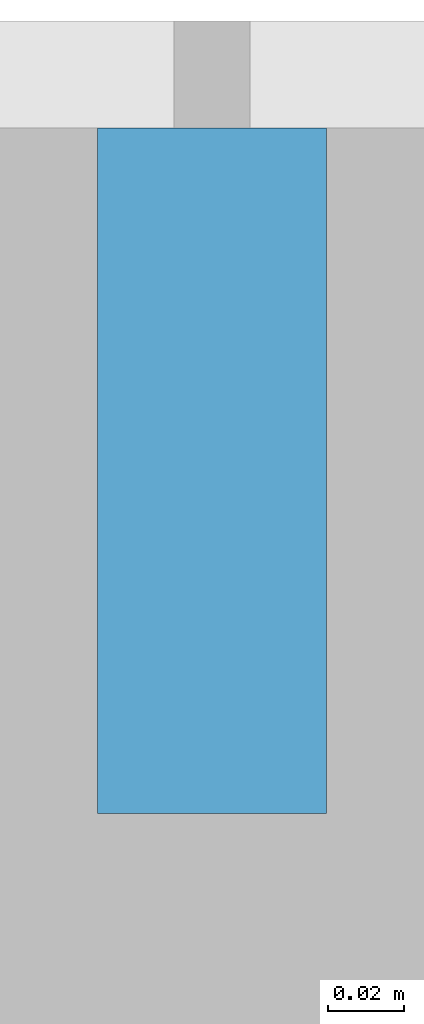
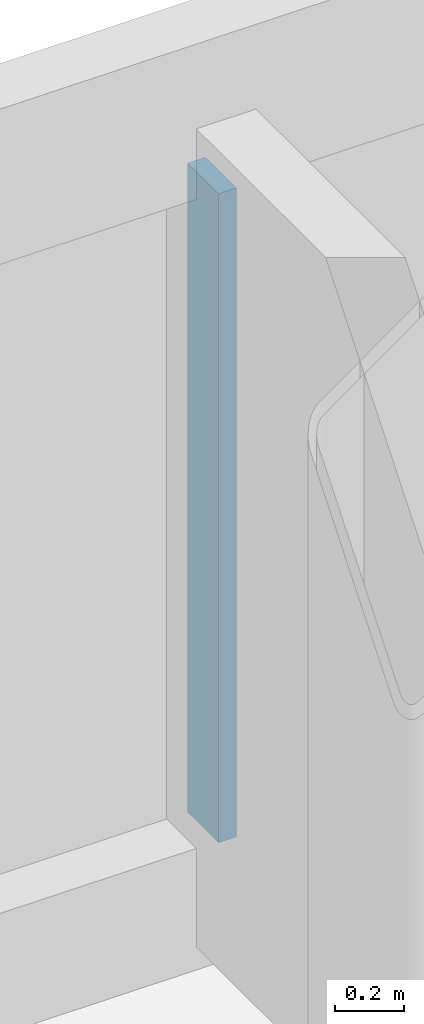
# One storey, part 7 of 26: 1 member, 1 element without a shape of its own.
"""IFC4 building model written with IfcOpenShell, lengths in metres."""

import ifcopenshell
import ifcopenshell.guid

model = None  # the IFC model being written
_history = None  # IfcOwnerHistory: only IFC2X3 demands one
_inside = {}  # id of a spatial element -> (the spatial element, [elements in it])
_under = {}  # id of a project, library or spatial element -> (it, [spatial elements below it])
_declared = {}  # id of a project -> (the project, [libraries it declares])
_typed = {}  # id of a type object -> (the type object, [elements of that type])
_made_of = {}  # id of a material, layer set ... -> (it, [elements and type objects made of it])


def new_model(schema):
    """Start an empty IFC model of exactly this schema.

    Asked for "IFC4X3", IfcOpenShell would pick the latest addendum, in which some entities
    have other attributes; the version numbers below select the first issue.
    IFC2X3 requires an IfcOwnerHistory on every rooted entity: one is made here for all.
    """
    global model, _history
    if schema == "IFC4X3":
        model = ifcopenshell.file(schema_version=(4, 3, 0, 0))
    else:
        model = ifcopenshell.file(schema=schema)
    _inside.clear()
    _under.clear()
    _declared.clear()
    _typed.clear()
    _made_of.clear()
    _history = None
    if model.schema == "IFC2X3":
        org = make("IfcOrganization", Name="unknown")
        user = make(
            "IfcPersonAndOrganization",
            ThePerson=make("IfcPerson", FamilyName="unknown"),
            TheOrganization=org,
        )
        app = make(
            "IfcApplication",
            ApplicationDeveloper=org,
            Version="unknown",
            ApplicationFullName="unknown",
            ApplicationIdentifier="unknown",
        )
        _history = make(
            "IfcOwnerHistory",
            OwningUser=user,
            OwningApplication=app,
            ChangeAction="ADDED",
            CreationDate=0,
        )
    return model


def make(cls, **values):
    """One entity of the class cls with the attributes given. An attribute that is None is left unset."""
    return model.create_entity(
        cls, **{name: value for name, value in values.items() if value is not None}
    )


def rooted(cls, **values):
    """An entity with a GlobalId (a new one), such as an element, a storey or a relation."""
    return make(cls, GlobalId=ifcopenshell.guid.new(), OwnerHistory=_history, **values)


def si_unit(unit_type, name, prefix=None):
    """IfcSIUnit, for example si_unit("LENGTHUNIT", "METRE", prefix="MILLI")."""
    return make("IfcSIUnit", UnitType=unit_type, Prefix=prefix, Name=name)


def assignment(units):
    """IfcUnitAssignment: the units of a project."""
    return None if units is None else make("IfcUnitAssignment", Units=units)


def point(xyz):
    """IfcCartesianPoint."""
    return None if xyz is None else make("IfcCartesianPoint", Coordinates=xyz)


def direction(xyz):
    """IfcDirection."""
    return None if xyz is None else make("IfcDirection", DirectionRatios=xyz)


def frame(location, z_axis=None, x_axis=None):
    """IfcAxis2Placement3D, a coordinate frame: its origin and axes. An axis left out is left unset."""
    return make(
        "IfcAxis2Placement3D",
        Location=point(location),
        Axis=direction(z_axis),
        RefDirection=direction(x_axis),
    )


def frame_2d(location, x_axis=None):
    """IfcAxis2Placement2D, a coordinate frame in the plane: its origin and x axis."""
    return make(
        "IfcAxis2Placement2D", Location=point(location), RefDirection=direction(x_axis)
    )


def origin():
    """The frame at (0, 0, 0) with its axes left unset."""
    return frame((0.0, 0.0, 0.0))


def origin_2d():
    """The frame at (0, 0) in the plane with its x axis left unset."""
    return frame_2d((0.0, 0.0))


def place(relative_to, where):
    """IfcLocalPlacement: puts the frame where relative to a parent placement (None: the world)."""
    return make(
        "IfcLocalPlacement", PlacementRelTo=relative_to, RelativePlacement=where
    )


def context(
    kind, dimensions, precision=None, world=None, true_north=None, identifier=None
):
    """IfcGeometricRepresentationContext, for example the 3D "Model" context."""
    return make(
        "IfcGeometricRepresentationContext",
        ContextIdentifier=identifier,
        ContextType=kind,
        CoordinateSpaceDimension=dimensions,
        Precision=precision,
        WorldCoordinateSystem=world,
        TrueNorth=true_north,
    )


def subcontext(parent, identifier, kind, view, scale=None):
    """IfcGeometricRepresentationSubContext, for example "Body" below "Model"."""
    return make(
        "IfcGeometricRepresentationSubContext",
        ContextIdentifier=identifier,
        ContextType=kind,
        ParentContext=parent,
        TargetScale=scale,
        TargetView=view,
    )


def project(units=None, contexts=None):
    """IfcProject with its units and contexts."""
    return rooted(
        "IfcProject",
        Name="project",
        RepresentationContexts=contexts,
        UnitsInContext=assignment(units),
    )


def spatial(cls, under=None, at=None, **own):
    """A site, building, storey or space (cls), placed at a placement, below another one or the project."""
    s = rooted(cls, ObjectPlacement=at, **own)
    if under is not None:
        _under.setdefault(under.id(), (under, []))[1].append(s)
    return s


def profile(cls, at=None, kind="AREA", **sizes):
    """A parametric profile (cls). Its sizes go by their IFC names, for example OverallWidth=200.0."""
    return make(cls, ProfileType=kind, Position=at, **sizes)


def rectangle(**sizes):
    """IfcRectangleProfileDef."""
    return profile("IfcRectangleProfileDef", **sizes)


def extrude(swept, where, along, depth):
    """IfcExtrudedAreaSolid: the profile swept, set in the frame where, extruded along a direction by depth."""
    return make(
        "IfcExtrudedAreaSolid",
        SweptArea=swept,
        Position=where,
        ExtrudedDirection=direction(along),
        Depth=depth,
    )


def shape(context_of_items, identifier, shape_type, items):
    """IfcShapeRepresentation: the items that make up one representation, for example the "Body"."""
    return make(
        "IfcShapeRepresentation",
        ContextOfItems=context_of_items,
        RepresentationIdentifier=identifier,
        RepresentationType=shape_type,
        Items=items,
    )


def material(Name=None, Category=None):
    """IfcMaterial."""
    return make("IfcMaterial", Name=Name, Category=Category)


def layer(
    of_material, thickness, ventilated=None, Name=None, Category=None, Priority=None
):
    """IfcMaterialLayer: one layer of a wall or slab, of a material (None: an air gap)."""
    return make(
        "IfcMaterialLayer",
        Material=of_material,
        LayerThickness=thickness,
        IsVentilated=ventilated,
        Name=Name,
        Category=Category,
        Priority=Priority,
    )


def layer_set(layers, Name=None):
    """IfcMaterialLayerSet."""
    return make("IfcMaterialLayerSet", MaterialLayers=layers, LayerSetName=Name)


def material_profile(
    of_material, cross_section, Name=None, Category=None, Priority=None
):
    """IfcMaterialProfile: a cross section and its material."""
    return make(
        "IfcMaterialProfile",
        Name=Name,
        Material=of_material,
        Profile=cross_section,
        Priority=Priority,
        Category=Category,
    )


def profile_set(profiles, Name=None, composite=None):
    """IfcMaterialProfileSet."""
    return make(
        "IfcMaterialProfileSet",
        Name=Name,
        MaterialProfiles=profiles,
        CompositeProfile=composite,
    )


def made_of(thing, what):
    """Note that an element or type object is made of a material, layer set ...; save() writes the relation."""
    if what is not None:
        _made_of.setdefault(what.id(), (what, []))[1].append(thing)
    return thing


def type_object(cls, material=None, **own):
    """A type object (cls), such as IfcWallType, which elements share."""
    return made_of(rooted(cls, **own), material)


def element(
    cls,
    number,
    at=None,
    inside=None,
    cuts=None,
    type_object=None,
    material=None,
    context=None,
    identifier="Body",
    shape_type=None,
    held_by="IfcProductDefinitionShape",
    body=None,
    shapes=None,
    **own,
):
    """One element of the class cls, such as IfcWall. Its Tag is "e" and its number.

    at: its placement. inside: the storey or other place that contains it. cuts: it is an
    opening in that element (IfcRelVoidsElement). A single representation is given by context,
    identifier, shape_type and body (its items); several are given by shapes. held_by: the class
    of the entity that holds the representations. save() writes the other relations.
    """
    e = rooted(cls, Tag="e%d" % number, ObjectPlacement=at, **own)
    if body is not None:
        shapes = [shape(context, identifier, shape_type, body)]
    if shapes is not None:
        e.Representation = make(held_by, Representations=shapes)
    if inside is not None:
        _inside.setdefault(inside.id(), (inside, []))[1].append(e)
    if cuts is not None:
        rooted(
            "IfcRelVoidsElement", RelatingBuildingElement=cuts, RelatedOpeningElement=e
        )
    if type_object is not None:
        _typed.setdefault(type_object.id(), (type_object, []))[1].append(e)
    return made_of(e, material)


def aggregate(whole, parts):
    """IfcRelAggregates: a whole, such as a stair, and the parts it consists of."""
    return rooted("IfcRelAggregates", RelatingObject=whole, RelatedObjects=parts)


def save(model, path):
    """Write the relations noted so far, then the file.

    IfcRelAggregates (storeys below a building ...), IfcRelContainedInSpatialStructure (elements
    in a storey), IfcRelDefinesByType, IfcRelAssociatesMaterial and IfcRelDeclares: one each for
    every whole, place, type object, material and project.
    """
    for whole, parts in _under.values():
        aggregate(whole, parts)
    for where, things in _inside.values():
        rooted(
            "IfcRelContainedInSpatialStructure",
            RelatedElements=things,
            RelatingStructure=where,
        )
    for kind, things in _typed.values():
        rooted("IfcRelDefinesByType", RelatedObjects=things, RelatingType=kind)
    for what, things in _made_of.values():
        rooted("IfcRelAssociatesMaterial", RelatedObjects=things, RelatingMaterial=what)
    for by, libraries in _declared.values():
        rooted("IfcRelDeclares", RelatingContext=by, RelatedDefinitions=libraries)
    model.write(path)


model = new_model("IFC4")

# Units and contexts
model_context = context("Model", 3, precision=1e-05, world=origin(), true_north=direction((0.0, 1.0)))
body_context = subcontext(model_context, "Body", "Model", "MODEL_VIEW")
ifc_project = project(units=[si_unit("LENGTHUNIT", "METRE"), si_unit("AREAUNIT", "SQUARE_METRE"), si_unit("VOLUMEUNIT", "CUBIC_METRE"), si_unit("PLANEANGLEUNIT", "RADIAN"), si_unit("MASSUNIT", "GRAM", prefix="KILO")], contexts=[model_context])

# Site, building, storey
site_placement = place(None, origin())
site = spatial("IfcSite", under=ifc_project, at=site_placement, CompositionType="ELEMENT")
building_placement = place(site_placement, origin())
building = spatial("IfcBuilding", under=site, at=building_placement, Name="Hakoniwa Tower and Hamabe Station Hall", CompositionType="ELEMENT")
storey_placement = place(building_placement, frame((0.0, 0.0, 225.0)))
storey = spatial("IfcBuildingStorey", under=building, at=storey_placement, Name="L64", CompositionType="ELEMENT", Elevation=225.0)

# Curtain wall, member
ifc_material_1 = material(Name="Dark low-e laminated glass", Category="glass")
ifc_layer = layer(ifc_material_1, 0.199951171875)
ifc_layer_set = layer_set([ifc_layer], Name="CW-1 UNITISED GUEST")
curtain_wall_type = type_object("IfcCurtainWallType", Name="CW-1 UNITISED GUEST", PredefinedType="NOTDEFINED", material=ifc_layer_set)
curtain_wall_placement = place(storey_placement, origin())
curtain_wall = element("IfcCurtainWall", 1, at=curtain_wall_placement, inside=storey, type_object=curtain_wall_type, Name="CW-1 curtain wall", PredefinedType="NOTDEFINED")
ifc_material_2 = material(Name="Aluminium 6063-T5 black anodised", Category="aluminium")
ifc_material_profile = material_profile(ifc_material_2, rectangle(XDim=0.06005859375, YDim=0.179931640625, at=origin_2d()), Name="CW-1 MULLION 60X180")
ifc_profile_set = profile_set([ifc_material_profile], Name="Aluminium 6063-T5 black anodised")
member_type = type_object("IfcMemberType", Name="CW-1 MULLION 60X180", PredefinedType="MULLION", material=ifc_profile_set)
member_placement = place(storey_placement, frame((0.0, 20.431884765625, 0.35009765625), z_axis=(0.0, 0.0, 1.0), x_axis=(-1.0, 0.0, 0.0)))
member = element("IfcMember", 2, at=member_placement, type_object=member_type, Name="CW-1 mullion", PredefinedType="MULLION", context=body_context, shape_type="SweptSolid", body=[
    extrude(rectangle(XDim=0.06005859375, YDim=0.179931640625, at=origin_2d()), origin(), (0.0, 0.0, 1.0), 2.2998046875),
])
aggregate(curtain_wall, [member])

save(model, "model.ifc")
